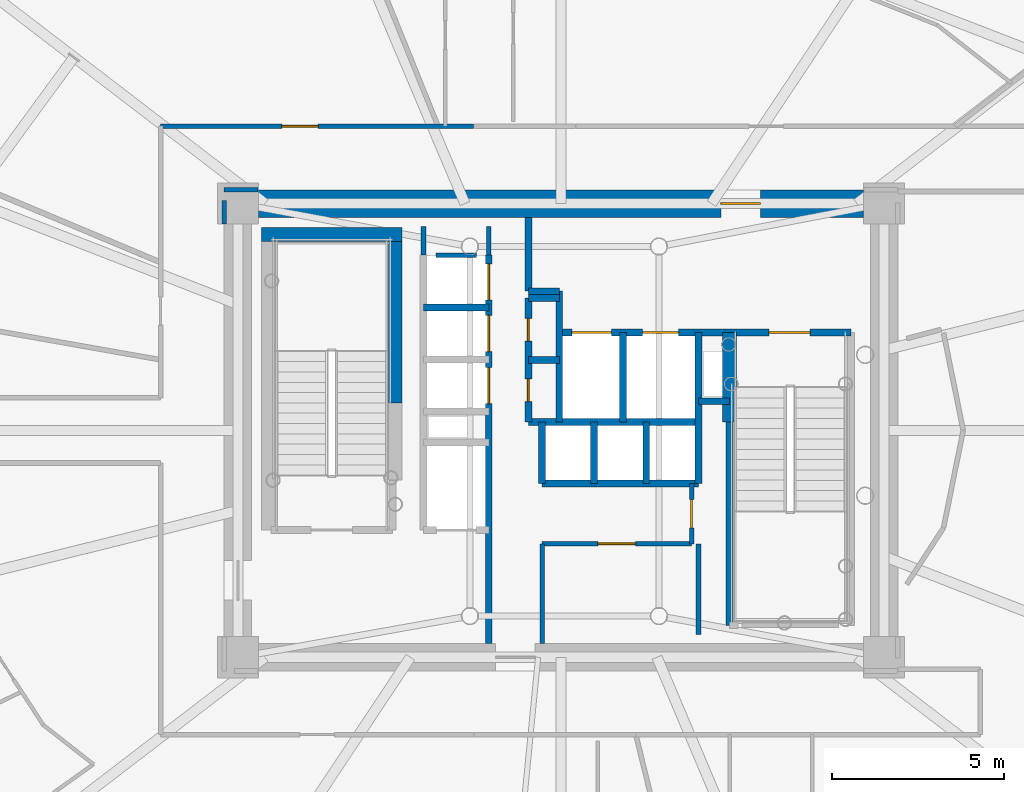
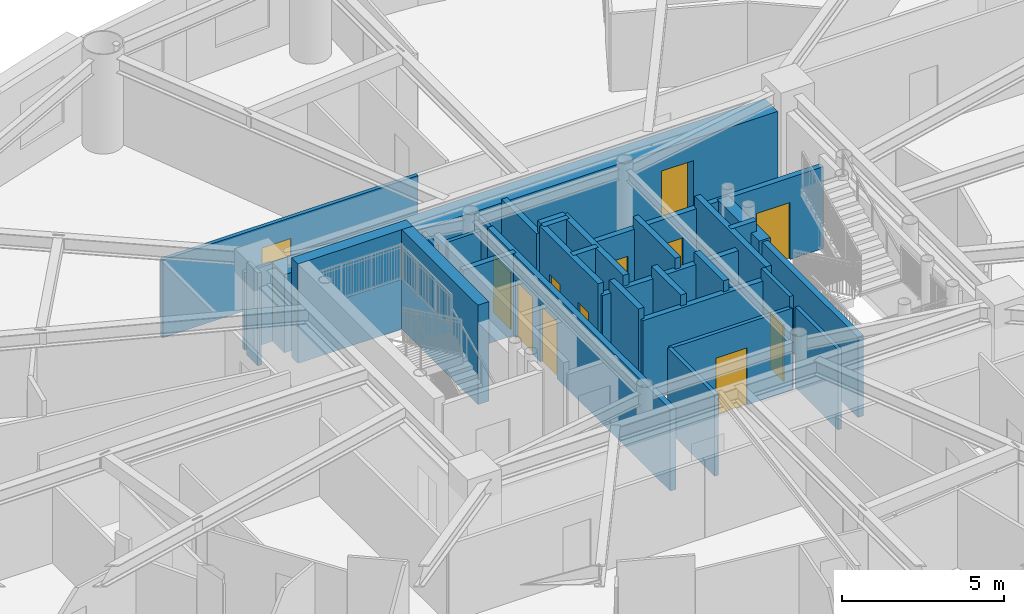
# One storey, part 11 of 21: 32 walls, 12 doors, 12 openings.
"""IFC4 building model written with IfcOpenShell, lengths in metres."""

from ifc_helpers import new_model, si_unit, direction, frame, frame_2d, origin, origin_2d, place, context, subcontext, project, spatial, rectangle, extrude, source, transform, mapped, material, layer, layer_set, type_object, element, fill, save


model = new_model("IFC4")

# Units and contexts
model_context = context("Model", 3, precision=1e-05, world=origin(), true_north=direction((0.0, 1.0)))
body_context = subcontext(model_context, "Body", "Model", "MODEL_VIEW")
ifc_project = project(units=[si_unit("LENGTHUNIT", "METRE"), si_unit("AREAUNIT", "SQUARE_METRE"), si_unit("VOLUMEUNIT", "CUBIC_METRE"), si_unit("PLANEANGLEUNIT", "RADIAN"), si_unit("MASSUNIT", "GRAM", prefix="KILO")], contexts=[model_context])

# Site, building, storey
site_placement = place(None, origin())
site = spatial("IfcSite", under=ifc_project, at=site_placement, CompositionType="ELEMENT")
building_placement = place(site_placement, origin())
building = spatial("IfcBuilding", under=site, at=building_placement, Name="Linh Dai School and Residence Tower", CompositionType="ELEMENT")
storey_placement = place(building_placement, frame((0.0, 0.0, 189.89990234375)))
storey = spatial("IfcBuildingStorey", under=building, at=storey_placement, Name="L46", CompositionType="ELEMENT", Elevation=189.89990234375)

# Wall, opening, door
ifc_material_1 = material(Name="Autoclaved Aerated Concrete Blockwork", Category="masonry")
ifc_layer_1 = layer(ifc_material_1, 0.135009765625)
ifc_layer_set_1 = layer_set([ifc_layer_1], Name="Autoclaved Aerated Concrete Blockwork")
wall_type_1 = type_object("IfcWallType", Name="IW-CORR-135-EI90", PredefinedType="PARTITIONING", material=ifc_layer_set_1)
wall_1_placement = place(storey_placement, frame((24.35009765625, 35.85009765625, 0.0), z_axis=(0.0, 0.0, 1.0), x_axis=(1.0, 0.0, 0.0)))
wall_1 = element("IfcWall", 1, at=wall_1_placement, inside=storey, type_object=wall_type_1, Name="L46 Interior Partition Wall 023", PredefinedType="PARTITIONING", context=body_context, shape_type="SweptSolid", body=[
    extrude(rectangle(XDim=9.108642578125, YDim=0.135009765625, at=frame_2d((4.55419921875, 0.0))), origin(), (0.0, 0.0, 1.0), 2.93505859375),
])
opening_1_placement = place(wall_1_placement, frame((3.5322265625, 0.0, 0.0)))
opening_1 = element("IfcOpeningElement", 2, at=opening_1_placement, cuts=wall_1, Name="Opening D04", PredefinedType="OPENING", context=body_context, shape_type="SweptSolid", body=[
    extrude(rectangle(XDim=1.050048828125, YDim=2.14990234375, at=origin_2d()), frame((0.52490234375, 0.07763671875, 1.074951171875), z_axis=(0.0, -1.0, 0.0), x_axis=(1.0, 0.0, 0.0)), (0.0, 0.0, 1.0), 0.155029296875),
])
ifc_material_2 = material(Name="Acoustic Vision-Panel Timber Classroom Door", Category="wood")
door_type_1 = type_object("IfcDoorType", Name="DR-SCH-1050x2150-FD60S", OperationType="NOTDEFINED", PredefinedType="DOOR", material=ifc_material_2)
shared_shape_1 = source(origin(), body_context, "Body", "SweptSolid", [
    extrude(rectangle(XDim=1.050048828125, YDim=2.14990234375, at=origin_2d()), frame((0.52490234375, 0.02490234375, 1.074951171875), z_axis=(0.0, -1.0, 0.0), x_axis=(1.0, 0.0, 0.0)), (0.0, 0.0, 1.0), 0.050048828125),
])
door_1_placement = place(opening_1_placement, origin())
door_1 = element("IfcDoor", 3, at=door_1_placement, inside=storey, type_object=door_type_1, Name="L46 Executive Business Boardroom Door", OperationType="SINGLE_SWING_RIGHT", OverallHeight=2.14990234375, OverallWidth=1.050048828125, PredefinedType="DOOR", context=body_context, shape_type="MappedRepresentation", body=[
    mapped(shared_shape_1, transform((0.0, 0.0, 0.0), x_axis=(1.0, 0.0, 0.0), y_axis=(0.0, 1.0, 0.0), z_axis=(0.0, 0.0, 1.0), scale=1.0)),
])
fill(opening_1, door_1)

# Wall
wall_2_placement = place(storey_placement, frame((35.449951171875, 20.800048828125, 0.0), z_axis=(0.0, 0.0, 1.0), x_axis=(0.0, 1.0, 0.0)))
element("IfcWall", 4, at=wall_2_placement, inside=storey, type_object=wall_type_1, Name="L46 Interior Partition Wall 047", PredefinedType="PARTITIONING", context=body_context, shape_type="SweptSolid", body=[
    extrude(rectangle(XDim=2.89990234375, YDim=0.135009765625, at=frame_2d((1.449951171875, 0.0))), origin(), (0.0, 0.0, 1.0), 3.085205078125),
])

# Wall, opening, door
wall_3_placement = place(storey_placement, frame((35.449951171875, 23.699951171875, 0.0), z_axis=(0.0, 0.0, 1.0), x_axis=(1.0, 0.0, 0.0)))
wall_3 = element("IfcWall", 5, at=wall_3_placement, inside=storey, type_object=wall_type_1, Name="L46 Interior Partition Wall 048", PredefinedType="PARTITIONING", context=body_context, shape_type="SweptSolid", body=[
    extrude(rectangle(XDim=4.35009765625, YDim=0.135009765625, at=frame_2d((2.175048828125, 0.0))), origin(), (0.0, 0.0, 1.0), 3.085205078125),
])
opening_2_placement = place(wall_3_placement, frame((1.625, 0.0, 0.0)))
opening_2 = element("IfcOpeningElement", 6, at=opening_2_placement, cuts=wall_3, Name="Opening D07", PredefinedType="OPENING", context=body_context, shape_type="SweptSolid", body=[
    extrude(rectangle(XDim=1.10009765625, YDim=2.14990234375, at=origin_2d()), frame((0.550048828125, 0.07763671875, 1.074951171875), z_axis=(0.0, -1.0, 0.0), x_axis=(1.0, 0.0, 0.0)), (0.0, 0.0, 1.0), 0.155029296875),
])
ifc_material_3 = material(Name="Fire-Rated Louvred Steel Plant Door", Category="steel")
door_type_2 = type_object("IfcDoorType", Name="DR-PLT-1100x2150-FD60S", OperationType="NOTDEFINED", PredefinedType="DOOR", material=ifc_material_3)
shared_shape_2 = source(origin(), body_context, "Body", "SweptSolid", [
    extrude(rectangle(XDim=1.10009765625, YDim=2.14990234375, at=origin_2d()), frame((0.550048828125, 0.02490234375, 1.074951171875), z_axis=(0.0, -1.0, 0.0), x_axis=(1.0, 0.0, 0.0)), (0.0, 0.0, 1.0), 0.050048828125),
])
door_2_placement = place(opening_2_placement, origin())
door_2 = element("IfcDoor", 7, at=door_2_placement, inside=storey, type_object=door_type_2, Name="L46 Tenant Metering and BMS Room Door", OperationType="SINGLE_SWING_RIGHT", OverallHeight=2.14990234375, OverallWidth=1.10009765625, PredefinedType="DOOR", context=body_context, shape_type="MappedRepresentation", body=[
    mapped(shared_shape_2, transform((0.0, 0.0, 0.0), x_axis=(1.0, 0.0, 0.0), y_axis=(0.0, 1.0, 0.0), z_axis=(0.0, 0.0, 1.0), scale=1.0)),
])
fill(opening_2, door_2)

wall_4_placement = place(storey_placement, frame((39.800048828125, 23.699951171875, 0.0), z_axis=(0.0, 0.0, 1.0), x_axis=(0.0, 1.0, 0.0)))
wall_4 = element("IfcWall", 8, at=wall_4_placement, inside=storey, type_object=wall_type_1, Name="L46 Interior Partition Wall 063", PredefinedType="PARTITIONING", context=body_context, shape_type="SweptSolid", body=[
    extrude(rectangle(XDim=1.75, YDim=0.135009765625, at=frame_2d((0.875, 0.0))), origin(), (0.0, 0.0, 1.0), 3.5),
])
opening_3_placement = place(wall_4_placement, frame((0.465087890625, 0.0, 0.0)))
opening_3 = element("IfcOpeningElement", 9, at=opening_3_placement, cuts=wall_4, Name="Opening D06", PredefinedType="OPENING", context=body_context, shape_type="SweptSolid", body=[
    extrude(rectangle(XDim=0.820068359375, YDim=2.10009765625, at=origin_2d()), frame((0.41015625, 0.07763671875, 1.050048828125), z_axis=(0.0, -1.0, 0.0), x_axis=(1.0, 0.0, 0.0)), (0.0, 0.0, 1.0), 0.155029296875),
])
ifc_material_4 = material(Name="Moisture-Resistant Timber Bathroom Door", Category="wood")
door_type_3 = type_object("IfcDoorType", Name="DR-WET-820x2100", OperationType="NOTDEFINED", PredefinedType="DOOR", material=ifc_material_4)
shared_shape_3 = source(origin(), body_context, "Body", "SweptSolid", [
    extrude(rectangle(XDim=0.820068359375, YDim=2.10009765625, at=origin_2d()), frame((0.41015625, 0.02490234375, 1.050048828125), z_axis=(0.0, -1.0, 0.0), x_axis=(1.0, 0.0, 0.0)), (0.0, 0.0, 1.0), 0.050048828125),
])
door_3_placement = place(opening_3_placement, origin())
door_3 = element("IfcDoor", 10, at=door_3_placement, inside=storey, type_object=door_type_3, Name="L46 Core Housekeeping Store Door", OperationType="SINGLE_SWING_LEFT", OverallHeight=2.10009765625, OverallWidth=0.820068359375, PredefinedType="DOOR", context=body_context, shape_type="MappedRepresentation", body=[
    mapped(shared_shape_3, transform((0.0, 0.0, 0.0), x_axis=(1.0, 0.0, 0.0), y_axis=(0.0, 1.0, 0.0), z_axis=(0.0, 0.0, 1.0), scale=1.0)),
])
fill(opening_3, door_3)

# Walls
wall_5_placement = place(storey_placement, frame((32.360107421875, 32.10009765625, 0.0), z_axis=(0.0, 0.0, 1.0), x_axis=(1.0, 0.0, 0.0)))
element("IfcWall", 11, at=wall_5_placement, inside=storey, type_object=wall_type_1, Name="L46 Interior Partition Wall 093", PredefinedType="PARTITIONING", context=body_context, shape_type="SweptSolid", body=[
    extrude(rectangle(XDim=1.179931640625, YDim=0.135009765625, at=frame_2d((0.58984375, 0.0))), origin(), (0.0, 0.0, 1.0), 3.085205078125),
])
wall_6_placement = place(storey_placement, frame((40.0, 23.699951171875, 0.0), z_axis=(0.0, 0.0, 1.0), x_axis=(0.0, -1.0, 0.0)))
element("IfcWall", 12, at=wall_6_placement, inside=storey, type_object=wall_type_1, Name="L46 Interior Partition Wall 094", PredefinedType="PARTITIONING", context=body_context, shape_type="SweptSolid", body=[
    extrude(rectangle(XDim=2.639892578125, YDim=0.135009765625, at=frame_2d((1.31982421875, 0.0))), origin(), (0.0, 0.0, 1.0), 3.03515625),
])
wall_7_placement = place(storey_placement, frame((32.0, 32.93994140625, 0.0), z_axis=(0.0, 0.0, 1.0), x_axis=(0.0, -1.0, 0.0)))
element("IfcWall", 13, at=wall_7_placement, inside=storey, type_object=wall_type_1, Name="L46 Interior Partition Wall 095", PredefinedType="PARTITIONING", context=body_context, shape_type="SweptSolid", body=[
    extrude(rectangle(XDim=0.829833984375, YDim=0.135009765625, at=frame_2d((0.4150390625, 0.0))), origin(), (0.0, 0.0, 1.0), 3.03515625),
])
wall_8_placement = place(storey_placement, frame((33.89990234375, 32.110107421875, 0.0), z_axis=(0.0, 0.0, 1.0), x_axis=(0.0, 1.0, 0.0)))
element("IfcWall", 14, at=wall_8_placement, inside=storey, type_object=wall_type_1, Name="L46 Interior Partition Wall 096", PredefinedType="PARTITIONING", context=body_context, shape_type="SweptSolid", body=[
    extrude(rectangle(XDim=0.829833984375, YDim=0.135009765625, at=frame_2d((0.4150390625, 0.0))), origin(), (0.0, 0.0, 1.0), 3.085205078125),
])
wall_9_placement = place(storey_placement, frame((27.18994140625, 34.0, 0.0), z_axis=(0.0, 0.0, 1.0), x_axis=(-1.0, 0.0, 0.0)))
element("IfcWall", 15, at=wall_9_placement, inside=storey, type_object=wall_type_1, Name="L46 Interior Partition Wall 100", PredefinedType="PARTITIONING", context=body_context, shape_type="SweptSolid", body=[
    extrude(rectangle(XDim=0.989990234375, YDim=0.135009765625, at=frame_2d((0.4951171875, 0.0))), origin(), (0.0, 0.0, 1.0), 2.93505859375),
])
wall_10_placement = place(storey_placement, frame((26.199951171875, 33.6923828125, 0.0), z_axis=(0.0, 0.0, 1.0), x_axis=(0.0, -1.0, 0.0)))
element("IfcWall", 16, at=wall_10_placement, inside=storey, type_object=wall_type_1, Name="L46 Interior Partition Wall 101", PredefinedType="PARTITIONING", context=body_context, shape_type="SweptSolid", body=[
    extrude(rectangle(XDim=0.682373046875, YDim=0.135009765625, at=frame_2d((0.34130859375, 0.0))), origin(), (0.0, 0.0, 1.0), 3.5),
])
ifc_material_5 = material(Name="Concrete B45 (C35/45)", Category="concrete")
ifc_layer_2 = layer(ifc_material_5, 0.199951171875)
ifc_layer_set_2 = layer_set([ifc_layer_2], Name="Concrete B45 (C35/45)")
wall_type_2 = type_object("IfcWallType", Name="IW-SHAFT-200-EI120", PredefinedType="PARTITIONING", material=ifc_layer_set_2)
wall_11_placement = place(storey_placement, frame((32.0, 30.580078125, 0.0), z_axis=(0.0, 0.0, 1.0), x_axis=(1.0, 0.0, 0.0)))
element("IfcWall", 17, at=wall_11_placement, inside=storey, type_object=wall_type_2, Name="L46 Interior Partition Wall 036", PredefinedType="PARTITIONING", context=body_context, shape_type="SweptSolid", body=[
    extrude(rectangle(XDim=1.89990234375, YDim=0.199951171875, at=frame_2d((0.949951171875, 0.0))), origin(), (0.0, 0.0, 1.0), 3.085205078125),
])

# Wall, openings, doors
wall_12_placement = place(storey_placement, frame((33.89990234375, 20.800048828125, 0.0), z_axis=(0.0, 0.0, 1.0), x_axis=(0.0, 1.0, 0.0)))
wall_12 = element("IfcWall", 18, at=wall_12_placement, inside=storey, type_object=wall_type_2, Name="L46 Interior Partition Wall 039", PredefinedType="PARTITIONING", context=body_context, shape_type="SweptSolid", body=[
    extrude(rectangle(XDim=11.300048828125, YDim=0.199951171875, at=frame_2d((5.64990234375, 0.0))), origin(), (0.0, 0.0, 1.0), 3.085205078125),
])
opening_4_placement = place(wall_12_placement, frame((6.97998046875, 0.0, 0.0)))
opening_4 = element("IfcOpeningElement", 19, at=opening_4_placement, cuts=wall_12, Name="Opening LD-PL4", PredefinedType="OPENING", context=body_context, shape_type="SweptSolid", body=[
    extrude(rectangle(XDim=1.050048828125, YDim=2.14990234375, at=origin_2d()), frame((0.52490234375, 0.10986328125, 1.074951171875), z_axis=(0.0, -1.0, 0.0), x_axis=(1.0, 0.0, 0.0)), (0.0, 0.0, 1.0), 0.219970703125),
])
opening_5_placement = place(wall_12_placement, frame((8.4951171875, 0.0, 0.0)))
opening_5 = element("IfcOpeningElement", 20, at=opening_5_placement, cuts=wall_12, Name="Opening LD-PL5", PredefinedType="OPENING", context=body_context, shape_type="SweptSolid", body=[
    extrude(rectangle(XDim=1.050048828125, YDim=2.14990234375, at=origin_2d()), frame((0.52490234375, 0.10986328125, 1.074951171875), z_axis=(0.0, -1.0, 0.0), x_axis=(1.0, 0.0, 0.0)), (0.0, 0.0, 1.0), 0.219970703125),
])
opening_6_placement = place(wall_12_placement, frame((9.9951171875, 0.0, 0.0)))
opening_6 = element("IfcOpeningElement", 21, at=opening_6_placement, cuts=wall_12, Name="Opening LD-PL6", PredefinedType="OPENING", context=body_context, shape_type="SweptSolid", body=[
    extrude(rectangle(XDim=1.050048828125, YDim=2.14990234375, at=origin_2d()), frame((0.52490234375, 0.10986328125, 1.074951171875), z_axis=(0.0, -1.0, 0.0), x_axis=(1.0, 0.0, 0.0)), (0.0, 0.0, 1.0), 0.219970703125),
])
ifc_material_6 = material(Name="Brushed Stainless Steel Lift Landing Door", Category="steel")
door_type_4 = type_object("IfcDoorType", Name="DR-LD-PASS-1050x2150", OperationType="DOUBLE_DOOR_SLIDING", PredefinedType="USERDEFINED", material=ifc_material_6)
shared_shape_4 = source(origin(), body_context, "Body", "SweptSolid", [
    extrude(rectangle(XDim=1.050048828125, YDim=2.14990234375, at=origin_2d()), frame((0.52490234375, 0.02490234375, 1.074951171875), z_axis=(0.0, -1.0, 0.0), x_axis=(1.0, 0.0, 0.0)), (0.0, 0.0, 1.0), 0.050048828125),
])
door_4_placement = place(opening_4_placement, origin())
door_4 = element("IfcDoor", 22, at=door_4_placement, inside=storey, type_object=door_type_4, Name="L46 Lift PL4 Sliding Landing Door", ObjectType="LANDING DOOR", OperationType="DOUBLE_DOOR_SLIDING", OverallHeight=2.14990234375, OverallWidth=1.050048828125, PredefinedType="USERDEFINED", context=body_context, shape_type="MappedRepresentation", body=[
    mapped(shared_shape_4, transform((0.0, 0.0, 0.0), x_axis=(1.0, 0.0, 0.0), y_axis=(0.0, 1.0, 0.0), z_axis=(0.0, 0.0, 1.0), scale=1.0)),
])
fill(opening_4, door_4)
door_5_placement = place(opening_5_placement, origin())
door_5 = element("IfcDoor", 23, at=door_5_placement, inside=storey, type_object=door_type_4, Name="L46 Lift PL5 Sliding Landing Door", ObjectType="LANDING DOOR", OperationType="DOUBLE_DOOR_SLIDING", OverallHeight=2.14990234375, OverallWidth=1.050048828125, PredefinedType="USERDEFINED", context=body_context, shape_type="MappedRepresentation", body=[
    mapped(shared_shape_4, transform((0.0, 0.0, 0.0), x_axis=(1.0, 0.0, 0.0), y_axis=(0.0, 1.0, 0.0), z_axis=(0.0, 0.0, 1.0), scale=1.0)),
])
fill(opening_5, door_5)
door_6_placement = place(opening_6_placement, origin())
door_6 = element("IfcDoor", 24, at=door_6_placement, inside=storey, type_object=door_type_4, Name="L46 Lift PL6 Sliding Landing Door", ObjectType="LANDING DOOR", OperationType="DOUBLE_DOOR_SLIDING", OverallHeight=2.14990234375, OverallWidth=1.050048828125, PredefinedType="USERDEFINED", context=body_context, shape_type="MappedRepresentation", body=[
    mapped(shared_shape_4, transform((0.0, 0.0, 0.0), x_axis=(1.0, 0.0, 0.0), y_axis=(0.0, 1.0, 0.0), z_axis=(0.0, 0.0, 1.0), scale=1.0)),
])
fill(opening_6, door_6)

wall_13_placement = place(storey_placement, frame((35.050048828125, 27.25, 0.0), z_axis=(0.0, 0.0, 1.0), x_axis=(0.0, 1.0, 0.0)))
wall_13 = element("IfcWall", 25, at=wall_13_placement, inside=storey, type_object=wall_type_2, Name="L46 Interior Partition Wall 041", PredefinedType="PARTITIONING", context=body_context, shape_type="SweptSolid", body=[
    extrude(rectangle(XDim=3.60009765625, YDim=0.199951171875, at=frame_2d((1.800048828125, 0.0))), origin(), (0.0, 0.0, 1.0), 3.5),
])
opening_7_placement = place(wall_13_placement, frame((0.590087890625, 0.0, 0.0)))
opening_7 = element("IfcOpeningElement", 26, at=opening_7_placement, cuts=wall_13, Name="Opening AD1", PredefinedType="OPENING", context=body_context, shape_type="SweptSolid", body=[
    extrude(rectangle(XDim=0.659912109375, YDim=2.050048828125, at=origin_2d()), frame((0.330078125, 0.10986328125, 1.02490234375), z_axis=(0.0, -1.0, 0.0), x_axis=(1.0, 0.0, 0.0)), (0.0, 0.0, 1.0), 0.219970703125),
])
opening_8_placement = place(wall_13_placement, frame((2.35009765625, 0.0, 0.0)))
opening_8 = element("IfcOpeningElement", 27, at=opening_8_placement, cuts=wall_13, Name="Opening AD1", PredefinedType="OPENING", context=body_context, shape_type="SweptSolid", body=[
    extrude(rectangle(XDim=0.659912109375, YDim=2.050048828125, at=origin_2d()), frame((0.330078125, 0.10986328125, 1.02490234375), z_axis=(0.0, -1.0, 0.0), x_axis=(1.0, 0.0, 0.0)), (0.0, 0.0, 1.0), 0.219970703125),
])
ifc_material_7 = material(Name="Fire-Rated Steel Riser Access Door", Category="steel")
door_type_5 = type_object("IfcDoorType", Name="DR-ACC-660x2050-FD90S", OperationType="NOTDEFINED", PredefinedType="USERDEFINED", material=ifc_material_7)
shared_shape_5 = source(origin(), body_context, "Body", "SweptSolid", [
    extrude(rectangle(XDim=0.659912109375, YDim=2.050048828125, at=origin_2d()), frame((0.330078125, 0.02490234375, 1.02490234375), z_axis=(0.0, -1.0, 0.0), x_axis=(1.0, 0.0, 0.0)), (0.0, 0.0, 1.0), 0.050048828125),
])
door_7_placement = place(opening_7_placement, origin())
door_7 = element("IfcDoor", 28, at=door_7_placement, inside=storey, type_object=door_type_5, Name="L46 Telecom and Data Riser Access Door", ObjectType="ACCESS DOOR", OperationType="SINGLE_SWING_RIGHT", OverallHeight=2.050048828125, OverallWidth=0.659912109375, PredefinedType="USERDEFINED", context=body_context, shape_type="MappedRepresentation", body=[
    mapped(shared_shape_5, transform((0.0, 0.0, 0.0), x_axis=(1.0, 0.0, 0.0), y_axis=(0.0, 1.0, 0.0), z_axis=(0.0, 0.0, 1.0), scale=1.0)),
])
fill(opening_7, door_7)
door_8_placement = place(opening_8_placement, origin())
door_8 = element("IfcDoor", 29, at=door_8_placement, inside=storey, type_object=door_type_5, Name="L46 Mechanical and Plumbing Riser Access Door", ObjectType="ACCESS DOOR", OperationType="SINGLE_SWING_LEFT", OverallHeight=2.050048828125, OverallWidth=0.659912109375, PredefinedType="USERDEFINED", context=body_context, shape_type="MappedRepresentation", body=[
    mapped(shared_shape_5, transform((0.0, 0.0, 0.0), x_axis=(1.0, 0.0, 0.0), y_axis=(0.0, 1.0, 0.0), z_axis=(0.0, 0.0, 1.0), scale=1.0)),
])
fill(opening_8, door_8)

# Walls
wall_14_placement = place(storey_placement, frame((35.050048828125, 27.25, 0.0), z_axis=(0.0, 0.0, 1.0), x_axis=(1.0, 0.0, 0.0)))
element("IfcWall", 30, at=wall_14_placement, inside=storey, type_object=wall_type_2, Name="L46 Interior Partition Wall 042", PredefinedType="PARTITIONING", context=body_context, shape_type="SweptSolid", body=[
    extrude(rectangle(XDim=4.949951171875, YDim=0.199951171875, at=frame_2d((2.47509765625, 0.0))), origin(), (0.0, 0.0, 1.0), 3.085205078125),
])
for number, where, z_axis, x_axis, name in (
    (31, (35.050048828125, 29.050048828125, 0.0), (0.0, 0.0, 1.0), (1.0, 0.0, 0.0), "L46 Interior Partition Wall 043"),
    (32, (35.050048828125, 30.85009765625, 0.0), (0.0, 0.0, 1.0), (1.0, 0.0, 0.0), "L46 Interior Partition Wall 044"),
):
    element("IfcWall", number, at=place(storey_placement, frame(where, z_axis=z_axis, x_axis=x_axis)), inside=storey, type_object=wall_type_2, Name=name, PredefinedType="PARTITIONING", context=body_context, shape_type="SweptSolid", body=[
        extrude(rectangle(XDim=0.89990234375, YDim=0.199951171875, at=frame_2d((0.449951171875, 0.0))), origin(), (0.0, 0.0, 1.0), 3.5),
    ])
wall_15_placement = place(storey_placement, frame((35.050048828125, 31.050048828125, 0.0), z_axis=(0.0, 0.0, 1.0), x_axis=(0.0, 1.0, 0.0)))
element("IfcWall", 33, at=wall_15_placement, inside=storey, type_object=wall_type_2, Name="L46 Interior Partition Wall 045", PredefinedType="PARTITIONING", context=body_context, shape_type="SweptSolid", body=[
    extrude(rectangle(XDim=2.14990234375, YDim=0.199951171875, at=frame_2d((1.074951171875, 0.0))), origin(), (0.0, 0.0, 1.0), 3.085205078125),
])
wall_16_placement = place(storey_placement, frame((35.050048828125, 31.050048828125, 0.0), z_axis=(0.0, 0.0, 1.0), x_axis=(1.0, 0.0, 0.0)))
element("IfcWall", 34, at=wall_16_placement, inside=storey, type_object=wall_type_2, Name="L46 Interior Partition Wall 046", PredefinedType="PARTITIONING", context=body_context, shape_type="SweptSolid", body=[
    extrude(rectangle(XDim=0.89990234375, YDim=0.199951171875, at=frame_2d((0.449951171875, 0.0))), origin(), (0.0, 0.0, 1.0), 3.5),
])
wall_17_placement = place(storey_placement, frame((35.449951171875, 25.449951171875, 0.0), z_axis=(0.0, 0.0, 1.0), x_axis=(0.0, 1.0, 0.0)))
element("IfcWall", 35, at=wall_17_placement, inside=storey, type_object=wall_type_2, Name="L46 Interior Partition Wall 049", PredefinedType="PARTITIONING", context=body_context, shape_type="SweptSolid", body=[
    extrude(rectangle(XDim=1.800048828125, YDim=0.199951171875, at=frame_2d((0.89990234375, 0.0))), origin(), (0.0, 0.0, 1.0), 3.5),
])
wall_18_placement = place(storey_placement, frame((35.449951171875, 25.449951171875, 0.0), z_axis=(0.0, 0.0, 1.0), x_axis=(1.0, 0.0, 0.0)))
element("IfcWall", 36, at=wall_18_placement, inside=storey, type_object=wall_type_2, Name="L46 Interior Partition Wall 050", PredefinedType="PARTITIONING", context=body_context, shape_type="SweptSolid", body=[
    extrude(rectangle(XDim=4.550048828125, YDim=0.199951171875, at=frame_2d((2.27490234375, 0.0))), origin(), (0.0, 0.0, 1.0), 3.085205078125),
])
wall_19_placement = place(storey_placement, frame((35.949951171875, 27.25, 0.0), z_axis=(0.0, 0.0, 1.0), x_axis=(0.0, 1.0, 0.0)))
element("IfcWall", 37, at=wall_19_placement, inside=storey, type_object=wall_type_2, Name="L46 Interior Partition Wall 051", PredefinedType="PARTITIONING", context=body_context, shape_type="SweptSolid", body=[
    extrude(rectangle(XDim=3.800048828125, YDim=0.199951171875, at=frame_2d((1.89990234375, 0.0))), origin(), (0.0, 0.0, 1.0), 3.5),
])

# Wall, openings, doors
wall_20_placement = place(storey_placement, frame((35.949951171875, 29.85009765625, 0.0), z_axis=(0.0, 0.0, 1.0), x_axis=(1.0, 0.0, 0.0)))
wall_20 = element("IfcWall", 38, at=wall_20_placement, inside=storey, type_object=wall_type_2, Name="L46 Interior Partition Wall 052", PredefinedType="PARTITIONING", context=body_context, shape_type="SweptSolid", body=[
    extrude(rectangle(XDim=8.489990234375, YDim=0.199951171875, at=frame_2d((4.2451171875, 0.0))), origin(), (0.0, 0.0, 1.0), 3.085205078125),
])
opening_9_placement = place(wall_20_placement, frame((6.10009765625, 0.0, 0.0)))
opening_9 = element("IfcOpeningElement", 39, at=opening_9_placement, cuts=wall_20, Name="Opening D01", PredefinedType="OPENING", context=body_context, shape_type="SweptSolid", body=[
    extrude(rectangle(XDim=1.199951171875, YDim=2.14990234375, at=origin_2d()), frame((0.60009765625, 0.10986328125, 1.074951171875), z_axis=(0.0, -1.0, 0.0), x_axis=(1.0, 0.0, 0.0)), (0.0, 0.0, 1.0), 0.219970703125),
])
opening_10_placement = place(wall_20_placement, frame((0.3701171875, 0.0, 0.0)))
opening_10 = element("IfcOpeningElement", 40, at=opening_10_placement, cuts=wall_20, Name="Opening LD-FF1", PredefinedType="OPENING", context=body_context, shape_type="SweptSolid", body=[
    extrude(rectangle(XDim=1.14990234375, YDim=2.14990234375, at=origin_2d()), frame((0.574951171875, 0.10986328125, 1.074951171875), z_axis=(0.0, -1.0, 0.0), x_axis=(1.0, 0.0, 0.0)), (0.0, 0.0, 1.0), 0.219970703125),
])
opening_11_placement = place(wall_20_placement, frame((2.425048828125, 0.0, 0.0)))
opening_11 = element("IfcOpeningElement", 41, at=opening_11_placement, cuts=wall_20, Name="Opening LD-SV1", PredefinedType="OPENING", context=body_context, shape_type="SweptSolid", body=[
    extrude(rectangle(XDim=1.050048828125, YDim=2.14990234375, at=origin_2d()), frame((0.52490234375, 0.10986328125, 1.074951171875), z_axis=(0.0, -1.0, 0.0), x_axis=(1.0, 0.0, 0.0)), (0.0, 0.0, 1.0), 0.219970703125),
])
ifc_material_8 = material(Name="Fire-Rated Steel Door Leaf", Category="steel")
door_type_6 = type_object("IfcDoorType", Name="DR-STAIR-1200x2150-FD90S", OperationType="NOTDEFINED", PredefinedType="DOOR", material=ifc_material_8)
shared_shape_6 = source(origin(), body_context, "Body", "SweptSolid", [
    extrude(rectangle(XDim=1.199951171875, YDim=2.14990234375, at=origin_2d()), frame((0.60009765625, 0.02490234375, 1.074951171875), z_axis=(0.0, -1.0, 0.0), x_axis=(1.0, 0.0, 0.0)), (0.0, 0.0, 1.0), 0.050048828125),
])
door_9_placement = place(opening_9_placement, origin())
door_9 = element("IfcDoor", 42, at=door_9_placement, inside=storey, type_object=door_type_6, Name="L46 Core Smokeproof Exit Stair ST2 Door", OperationType="SINGLE_SWING_RIGHT", OverallHeight=2.14990234375, OverallWidth=1.199951171875, PredefinedType="DOOR", context=body_context, shape_type="MappedRepresentation", body=[
    mapped(shared_shape_6, transform((0.0, 0.0, 0.0), x_axis=(1.0, 0.0, 0.0), y_axis=(0.0, 1.0, 0.0), z_axis=(0.0, 0.0, 1.0), scale=1.0)),
])
fill(opening_9, door_9)
ifc_material_9 = material(Name="Fire-Rated Stainless Steel Firefighting Lift Door", Category="steel")
door_type_7 = type_object("IfcDoorType", Name="DR-LD-FF-1150x2150-FD120", OperationType="DOUBLE_DOOR_SLIDING", PredefinedType="USERDEFINED", material=ifc_material_9)
shared_shape_7 = source(origin(), body_context, "Body", "SweptSolid", [
    extrude(rectangle(XDim=1.14990234375, YDim=2.14990234375, at=origin_2d()), frame((0.574951171875, 0.02490234375, 1.074951171875), z_axis=(0.0, -1.0, 0.0), x_axis=(1.0, 0.0, 0.0)), (0.0, 0.0, 1.0), 0.050048828125),
])
door_10_placement = place(opening_10_placement, origin())
door_10 = element("IfcDoor", 43, at=door_10_placement, inside=storey, type_object=door_type_7, Name="L46 Lift FF1 Sliding Landing Door", ObjectType="LANDING DOOR", OperationType="DOUBLE_DOOR_SLIDING", OverallHeight=2.14990234375, OverallWidth=1.14990234375, PredefinedType="USERDEFINED", context=body_context, shape_type="MappedRepresentation", body=[
    mapped(shared_shape_7, transform((0.0, 0.0, 0.0), x_axis=(1.0, 0.0, 0.0), y_axis=(0.0, 1.0, 0.0), z_axis=(0.0, 0.0, 1.0), scale=1.0)),
])
fill(opening_10, door_10)
door_11_placement = place(opening_11_placement, origin())
door_11 = element("IfcDoor", 44, at=door_11_placement, inside=storey, type_object=door_type_4, Name="L46 Lift SV1 Sliding Landing Door", ObjectType="LANDING DOOR", OperationType="DOUBLE_DOOR_SLIDING", OverallHeight=2.14990234375, OverallWidth=1.050048828125, PredefinedType="USERDEFINED", context=body_context, shape_type="MappedRepresentation", body=[
    mapped(shared_shape_4, transform((0.0, 0.0, 0.0), x_axis=(1.0, 0.0, 0.0), y_axis=(0.0, 1.0, 0.0), z_axis=(0.0, 0.0, 1.0), scale=1.0)),
])
fill(opening_11, door_11)

# Walls
wall_21_placement = place(storey_placement, frame((36.9599609375, 25.449951171875, 0.0), z_axis=(0.0, 0.0, 1.0), x_axis=(0.0, 1.0, 0.0)))
element("IfcWall", 45, at=wall_21_placement, inside=storey, type_object=wall_type_2, Name="L46 Interior Partition Wall 057", PredefinedType="PARTITIONING", context=body_context, shape_type="SweptSolid", body=[
    extrude(rectangle(XDim=1.800048828125, YDim=0.199951171875, at=frame_2d((0.89990234375, 0.0))), origin(), (0.0, 0.0, 1.0), 3.5),
])
wall_22_placement = place(storey_placement, frame((37.800048828125, 27.25, 0.0), z_axis=(0.0, 0.0, 1.0), x_axis=(0.0, 1.0, 0.0)))
element("IfcWall", 46, at=wall_22_placement, inside=storey, type_object=wall_type_2, Name="L46 Interior Partition Wall 059", PredefinedType="PARTITIONING", context=body_context, shape_type="SweptSolid", body=[
    extrude(rectangle(XDim=2.60009765625, YDim=0.199951171875, at=frame_2d((1.300048828125, 0.0))), origin(), (0.0, 0.0, 1.0), 3.5),
])
wall_23_placement = place(storey_placement, frame((38.47998046875, 25.449951171875, 0.0), z_axis=(0.0, 0.0, 1.0), x_axis=(0.0, 1.0, 0.0)))
element("IfcWall", 47, at=wall_23_placement, inside=storey, type_object=wall_type_2, Name="L46 Interior Partition Wall 062", PredefinedType="PARTITIONING", context=body_context, shape_type="SweptSolid", body=[
    extrude(rectangle(XDim=1.800048828125, YDim=0.199951171875, at=frame_2d((0.89990234375, 0.0))), origin(), (0.0, 0.0, 1.0), 3.5),
])
wall_24_placement = place(storey_placement, frame((40.0, 25.449951171875, 0.0), z_axis=(0.0, 0.0, 1.0), x_axis=(0.0, 1.0, 0.0)))
element("IfcWall", 48, at=wall_24_placement, inside=storey, type_object=wall_type_2, Name="L46 Interior Partition Wall 064", PredefinedType="PARTITIONING", context=body_context, shape_type="SweptSolid", body=[
    extrude(rectangle(XDim=4.400146484375, YDim=0.199951171875, at=frame_2d((2.2001953125, 0.0))), origin(), (0.0, 0.0, 1.0), 3.5),
])
wall_25_placement = place(storey_placement, frame((40.0, 27.85009765625, 0.0), z_axis=(0.0, 0.0, 1.0), x_axis=(1.0, 0.0, 0.0)))
element("IfcWall", 49, at=wall_25_placement, inside=storey, type_object=wall_type_2, Name="L46 Interior Partition Wall 065", PredefinedType="PARTITIONING", context=body_context, shape_type="SweptSolid", body=[
    extrude(rectangle(XDim=0.89990234375, YDim=0.199951171875, at=frame_2d((0.449951171875, 0.0))), origin(), (0.0, 0.0, 1.0), 3.5),
])
wall_26_placement = place(storey_placement, frame((40.89990234375, 21.330078125, 0.0), z_axis=(0.0, 0.0, 1.0), x_axis=(0.0, 1.0, 0.0)))
element("IfcWall", 50, at=wall_26_placement, inside=storey, type_object=wall_type_2, Name="L46 Interior Partition Wall 066", PredefinedType="PARTITIONING", context=body_context, shape_type="SweptSolid", body=[
    extrude(rectangle(XDim=5.909912109375, YDim=0.199951171875, at=frame_2d((2.955078125, 0.0))), origin(), (0.0, 0.0, 1.0), 3.03515625),
])
ifc_layer_3 = layer(ifc_material_5, 0.39990234375)
ifc_layer_set_3 = layer_set([ifc_layer_3], Name="Concrete B45 (C35/45)")
wall_type_3 = type_object("IfcWallType", Name="WL-CORE400", PredefinedType="SHEAR", material=ifc_layer_set_3)
wall_27_placement = place(storey_placement, frame((31.179931640625, 27.800048828125, 0.0), z_axis=(0.0, 0.0, 1.0), x_axis=(0.0, 1.0, 0.0)))
element("IfcWall", 51, at=wall_27_placement, inside=storey, type_object=wall_type_3, Name="L46 Core Stair ST1 Bearing Wall E", PredefinedType="SHEAR", context=body_context, shape_type="SweptSolid", body=[
    extrude(rectangle(XDim=4.89990234375, YDim=0.39990234375, at=frame_2d((2.449951171875, 0.0))), origin(), (0.0, 0.0, 1.0), 3.75),
])
wall_28_placement = place(storey_placement, frame((27.280029296875, 32.699951171875, 0.0), z_axis=(0.0, 0.0, 1.0), x_axis=(1.0, 0.0, 0.0)))
element("IfcWall", 52, at=wall_28_placement, inside=storey, type_object=wall_type_3, Name="L46 Core Stair ST1 Bearing Wall N", PredefinedType="SHEAR", context=body_context, shape_type="SweptSolid", body=[
    extrude(rectangle(XDim=4.099853515625, YDim=0.39990234375, at=frame_2d((2.0498046875, 0.0))), origin(), (0.0, 0.0, 1.0), 3.75),
])
wall_29_placement = place(storey_placement, frame((40.89990234375, 27.25, 0.0), z_axis=(0.0, 0.0, 1.0), x_axis=(0.0, 1.0, 0.0)))
element("IfcWall", 53, at=wall_29_placement, inside=storey, type_object=wall_type_3, Name="L46 Internal Core Shear Wall IE", PredefinedType="SHEAR", context=body_context, shape_type="SweptSolid", body=[
    extrude(rectangle(XDim=2.60009765625, YDim=0.39990234375, at=frame_2d((1.300048828125, 0.0))), origin(), (0.0, 0.0, 1.0), 3.10009765625),
])

# Wall, opening, door
ifc_material_10 = material(Name="Concrete B60 (C50/60)", Category="concrete")
ifc_layer_4 = layer(ifc_material_10, 0.800048828125)
ifc_layer_set_4 = layer_set([ifc_layer_4], Name="Concrete B60 (C50/60)")
wall_type_4 = type_object("IfcWallType", Name="WL-CORE800", PredefinedType="SHEAR", material=ifc_layer_set_4)
wall_30_placement = place(storey_placement, frame((27.199951171875, 33.60009765625, 0.0), z_axis=(0.0, 0.0, 1.0), x_axis=(1.0, 0.0, 0.0)))
wall_30 = element("IfcWall", 54, at=wall_30_placement, inside=storey, type_object=wall_type_4, Name="L46 Central Core Shear Wall N", PredefinedType="SHEAR", context=body_context, shape_type="SweptSolid", body=[
    extrude(rectangle(XDim=17.60009765625, YDim=0.800048828125, at=frame_2d((8.800048828125, 0.0))), origin(), (0.0, 0.0, 1.0), 2.9501953125),
])
opening_12_placement = place(wall_30_placement, frame((13.449951171875, 0.0, 0.0)))
opening_12 = element("IfcOpeningElement", 55, at=opening_12_placement, cuts=wall_30, Name="Opening D02", PredefinedType="OPENING", context=body_context, shape_type="SweptSolid", body=[
    extrude(rectangle(XDim=1.14990234375, YDim=2.14990234375, at=origin_2d()), frame((0.574951171875, 0.41015625, 1.074951171875), z_axis=(0.0, -1.0, 0.0), x_axis=(1.0, 0.0, 0.0)), (0.0, 0.0, 1.0), 0.820068359375),
])
ifc_material_11 = material(Name="Fire-Rated Glazed Steel Lobby Door", Category="steel")
door_type_8 = type_object("IfcDoorType", Name="DR-LOBBY-1150x2150-FD90S", OperationType="NOTDEFINED", PredefinedType="DOOR", material=ifc_material_11)
shared_shape_8 = source(origin(), body_context, "Body", "SweptSolid", [
    extrude(rectangle(XDim=1.14990234375, YDim=2.14990234375, at=origin_2d()), frame((0.574951171875, 0.02490234375, 1.074951171875), z_axis=(0.0, -1.0, 0.0), x_axis=(1.0, 0.0, 0.0)), (0.0, 0.0, 1.0), 0.050048828125),
])
door_12_placement = place(opening_12_placement, origin())
door_12 = element("IfcDoor", 56, at=door_12_placement, inside=storey, type_object=door_type_8, Name="L46 Firefighting Lobby Door", OperationType="SINGLE_SWING_LEFT", OverallHeight=2.14990234375, OverallWidth=1.14990234375, PredefinedType="DOOR", context=body_context, shape_type="MappedRepresentation", body=[
    mapped(shared_shape_8, transform((0.0, 0.0, 0.0), x_axis=(1.0, 0.0, 0.0), y_axis=(0.0, 1.0, 0.0), z_axis=(0.0, 0.0, 1.0), scale=1.0)),
])
fill(opening_12, door_12)

save(model, "model.ifc")
